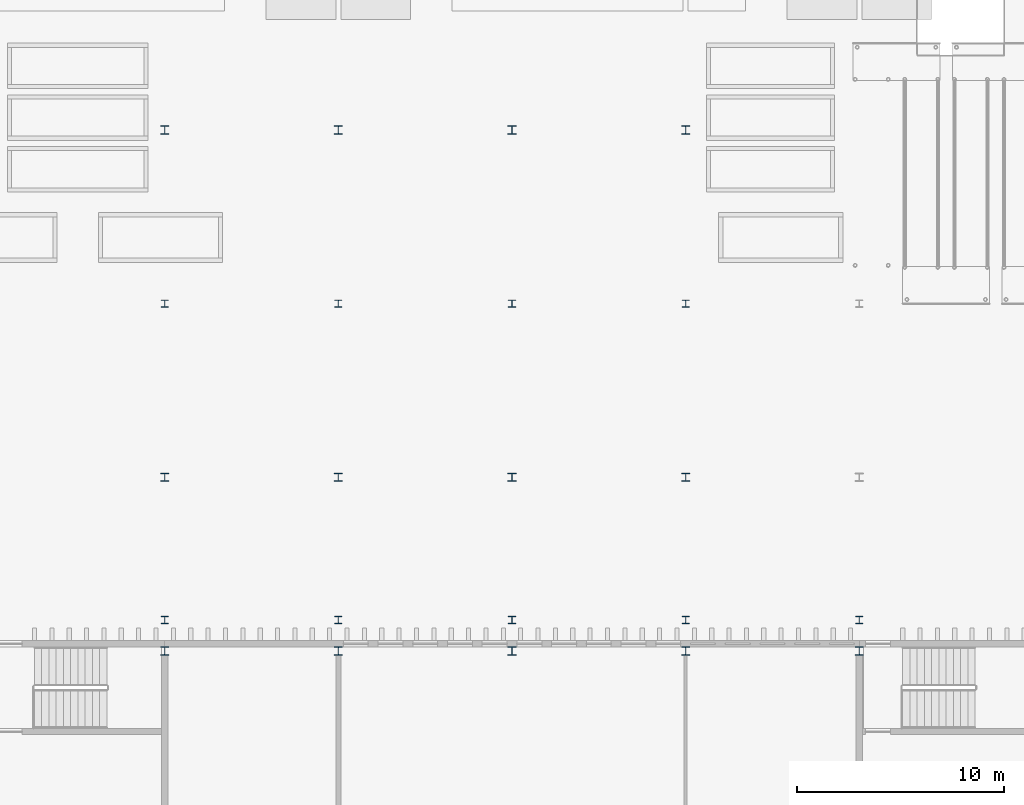
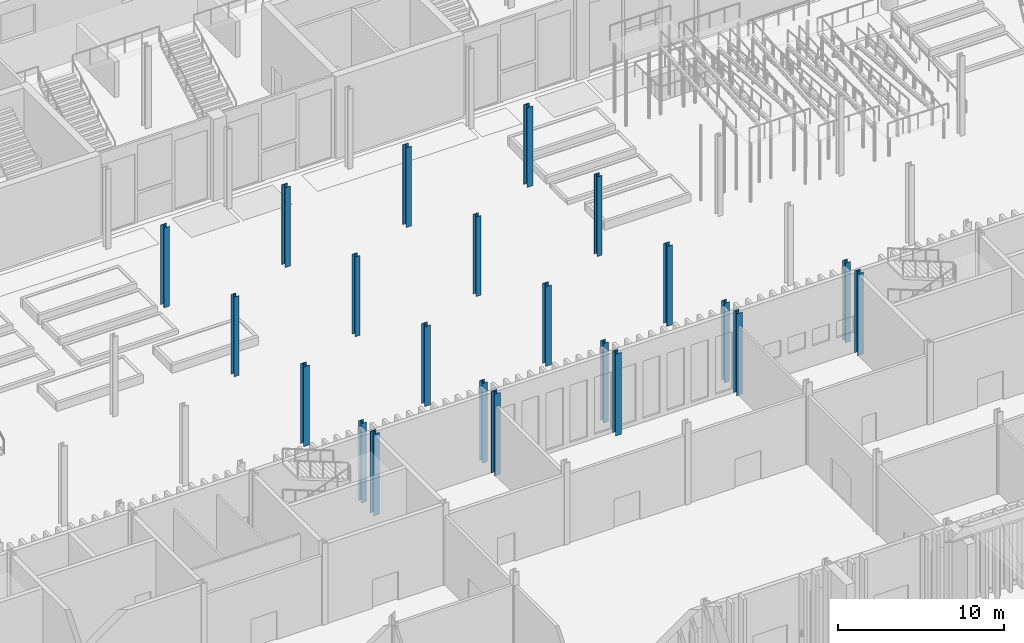
# One storey, part 19 of 108: 22 columns.
"""IFC4 building model written with IfcOpenShell, lengths in metres."""

from ifc_helpers import new_model, si_unit, direction, frame, origin, origin_2d, place, context, subcontext, project, spatial, i_section, extrude, material, material_profile, profile_set, type_object, element, save


model = new_model("IFC4")

# Units and contexts
model_context = context("Model", 3, precision=1e-05, world=origin(), true_north=direction((0.0, 1.0)))
body_context = subcontext(model_context, "Body", "Model", "MODEL_VIEW")
ifc_project = project(units=[si_unit("LENGTHUNIT", "METRE"), si_unit("AREAUNIT", "SQUARE_METRE"), si_unit("VOLUMEUNIT", "CUBIC_METRE"), si_unit("PLANEANGLEUNIT", "RADIAN"), si_unit("MASSUNIT", "GRAM", prefix="KILO")], contexts=[model_context])

# Site, building, storey
site_placement = place(None, origin())
site = spatial("IfcSite", under=ifc_project, at=site_placement, CompositionType="ELEMENT")
building_placement = place(site_placement, origin())
building = spatial("IfcBuilding", under=site, at=building_placement, Name="Cresset Court Congress Hotel", CompositionType="ELEMENT")
storey_placement = place(building_placement, origin())
storey = spatial("IfcBuildingStorey", under=building, at=storey_placement, Name="L00", CompositionType="ELEMENT", Elevation=0.0)

# Columns
ifc_material_1 = material(Name="Structural steel Q355B", Category="steel")
ifc_material_profile_1 = material_profile(ifc_material_1, i_section(OverallWidth=0.35009765625, OverallDepth=0.35009765625, WebThickness=0.011962890625, FlangeThickness=0.01904296875, FilletRadius=0.012939453125, at=origin_2d()), Name="HW350x350x12x19")
ifc_profile_set_1 = profile_set([ifc_material_profile_1], Name="Structural steel Q355B")
column_type_1 = type_object("IfcColumnType", Name="Steel column HW350x350x12x19", PredefinedType="COLUMN", material=ifc_profile_set_1)
for number, where, z_axis, x_axis, name in (
    (1, (67.199951171875, 26.699951171875, 0.0), (0.0, 0.0, 1.0), (1.0, 0.0, 0.0), "Deck column R108"),
    (2, (75.60009765625, 26.699951171875, 0.0), (0.0, 0.0, 1.0), (1.0, 0.0, 0.0), "Deck column R109"),
    (3, (84.0, 26.699951171875, 0.0), (0.0, 0.0, 1.0), (1.0, 0.0, 0.0), "Deck column R110"),
    (4, (92.39990234375, 26.699951171875, 0.0), (0.0, 0.0, 1.0), (1.0, 0.0, 0.0), "Deck column R111"),
    (5, (100.800048828125, 26.699951171875, 0.0), (0.0, 0.0, 1.0), (1.0, 0.0, 0.0), "Deck column R112"),
    (6, (67.199951171875, 42.0, 0.0), (0.0, 0.0, 1.0), (1.0, 0.0, 0.0), "Deck column R308"),
    (7, (75.60009765625, 42.0, 0.0), (0.0, 0.0, 1.0), (1.0, 0.0, 0.0), "Deck column R309"),
    (8, (84.0, 42.0, 0.0), (0.0, 0.0, 1.0), (1.0, 0.0, 0.0), "Deck column R310"),
    (9, (92.39990234375, 42.0, 0.0), (0.0, 0.0, 1.0), (1.0, 0.0, 0.0), "Deck column R311"),
):
    element("IfcColumn", number, at=place(storey_placement, frame(where, z_axis=z_axis, x_axis=x_axis)), inside=storey, type_object=column_type_1, Name=name, PredefinedType="COLUMN", context=body_context, shape_type="SweptSolid", body=[
        extrude(i_section(OverallWidth=0.35009765625, OverallDepth=0.35009765625, WebThickness=0.011962890625, FlangeThickness=0.01904296875, FilletRadius=0.012939453125, at=origin_2d()), origin(), (0.0, 0.0, 1.0), 5.85009765625),
    ])
ifc_material_2 = material(Name="Structural steel Q355B", Category="steel")
ifc_material_profile_2 = material_profile(ifc_material_2, i_section(OverallWidth=0.39990234375, OverallDepth=0.39990234375, WebThickness=0.012939453125, FlangeThickness=0.02099609375, FilletRadius=0.02197265625, at=origin_2d()), Name="HW400x400x13x21")
ifc_profile_set_2 = profile_set([ifc_material_profile_2], Name="Structural steel Q355B")
column_type_2 = type_object("IfcColumnType", Name="Steel column HW400x400x13x21", PredefinedType="COLUMN", material=ifc_profile_set_2)
for number, where, z_axis, x_axis, name in (
    (10, (67.199951171875, 33.60009765625, 0.0), (0.0, 0.0, 1.0), (1.0, 0.0, 0.0), "Deck column R208"),
    (11, (75.60009765625, 33.60009765625, 0.0), (0.0, 0.0, 1.0), (1.0, 0.0, 0.0), "Deck column R209"),
    (12, (84.0, 33.60009765625, 0.0), (0.0, 0.0, 1.0), (1.0, 0.0, 0.0), "Deck column R210"),
    (13, (92.39990234375, 33.60009765625, 0.0), (0.0, 0.0, 1.0), (1.0, 0.0, 0.0), "Deck column R211"),
    (14, (67.199951171875, 50.39990234375, 0.0), (0.0, 0.0, 1.0), (1.0, 0.0, 0.0), "Deck column H11"),
    (15, (75.60009765625, 50.39990234375, 0.0), (0.0, 0.0, 1.0), (1.0, 0.0, 0.0), "Deck column H12"),
    (16, (84.0, 50.39990234375, 0.0), (0.0, 0.0, 1.0), (1.0, 0.0, 0.0), "Deck column H13"),
    (17, (92.39990234375, 50.39990234375, 0.0), (0.0, 0.0, 1.0), (1.0, 0.0, 0.0), "Deck column H14"),
):
    element("IfcColumn", number, at=place(storey_placement, frame(where, z_axis=z_axis, x_axis=x_axis)), inside=storey, type_object=column_type_2, Name=name, PredefinedType="COLUMN", context=body_context, shape_type="SweptSolid", body=[
        extrude(i_section(OverallWidth=0.39990234375, OverallDepth=0.39990234375, WebThickness=0.012939453125, FlangeThickness=0.02099609375, FilletRadius=0.02197265625, at=origin_2d()), origin(), (0.0, 0.0, 1.0), 5.85009765625),
    ])
for number, where, z_axis, x_axis, name in (
    (18, (67.199951171875, 25.199951171875, 0.0), (0.0, 0.0, 1.0), (1.0, 0.0, 0.0), "B.col.L00.09D"),
    (19, (75.60009765625, 25.199951171875, 0.0), (0.0, 0.0, 1.0), (1.0, 0.0, 0.0), "B.col.L00.10D"),
    (20, (84.0, 25.199951171875, 0.0), (0.0, 0.0, 1.0), (1.0, 0.0, 0.0), "B.col.L00.11D"),
    (21, (92.39990234375, 25.199951171875, 0.0), (0.0, 0.0, 1.0), (1.0, 0.0, 0.0), "B.col.L00.12D"),
    (22, (100.800048828125, 25.199951171875, 0.0), (0.0, 0.0, 1.0), (1.0, 0.0, 0.0), "B.col.L00.13D"),
):
    element("IfcColumn", number, at=place(storey_placement, frame(where, z_axis=z_axis, x_axis=x_axis)), inside=storey, type_object=column_type_2, Name=name, PredefinedType="COLUMN", context=body_context, shape_type="SweptSolid", body=[
        extrude(i_section(OverallWidth=0.39990234375, OverallDepth=0.39990234375, WebThickness=0.012939453125, FlangeThickness=0.02099609375, FilletRadius=0.02197265625, at=origin_2d()), origin(), (0.0, 0.0, 1.0), 6.0),
    ])

save(model, "model.ifc")
